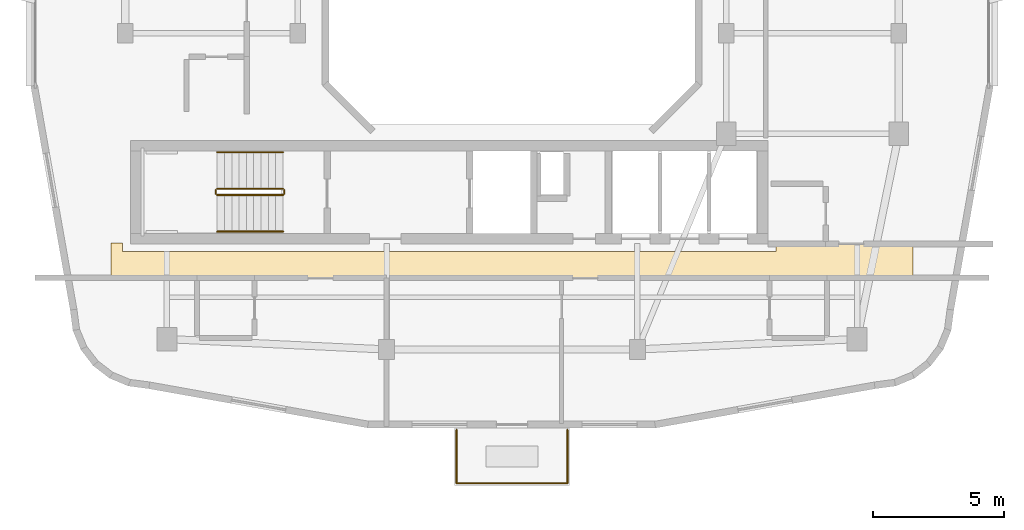
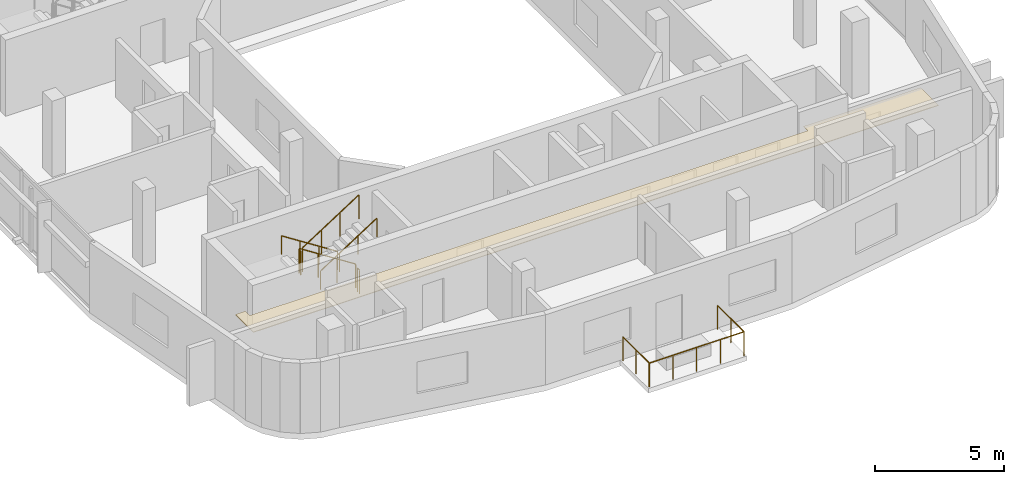
# One storey, part 8 of 10: 9 railings, 1 covering.
"""IFC4 building model written with IfcOpenShell, lengths in metres."""

from ifc_helpers import new_model, si_unit, derived_unit, direction, frame, origin, origin_2d, place, context, subcontext, project, spatial, polyline, circle, outline, extrude, material, layer, layer_set, type_object, element, save


model = new_model("IFC4")

# Units and contexts
model_context = context("Model", 3, precision=1e-05, world=origin(), true_north=direction((0.0, 1.0)))
body_context = subcontext(model_context, "Body", "Model", "MODEL_VIEW")
ifc_project = project(units=[si_unit("LENGTHUNIT", "METRE"), si_unit("AREAUNIT", "SQUARE_METRE"), si_unit("VOLUMEUNIT", "CUBIC_METRE"), si_unit("PLANEANGLEUNIT", "RADIAN"), si_unit("MASSUNIT", "GRAM", prefix="KILO"), derived_unit("THERMALTRANSMITTANCEUNIT", [(si_unit("POWERUNIT", "WATT"), 1), (si_unit("LENGTHUNIT", "METRE"), -2), (si_unit("THERMODYNAMICTEMPERATUREUNIT", "KELVIN"), -1)])], contexts=[model_context])

# Site, building, storey
site_placement = place(None, origin())
site = spatial("IfcSite", under=ifc_project, at=site_placement, CompositionType="ELEMENT")
building_placement = place(site_placement, origin())
building = spatial("IfcBuilding", under=site, at=building_placement, Name="Kivonza Crest Hotel", CompositionType="ELEMENT")
storey_placement = place(building_placement, frame((0.0, 0.0, 243.199951171875)))
storey = spatial("IfcBuildingStorey", under=building, at=storey_placement, Name="L66", CompositionType="ELEMENT", Elevation=243.199951171875)

# Covering
ifc_material_1 = material(Name="Moisture-resistant gypsum plasterboard ceiling", Category="gypsum")
ifc_layer = layer(ifc_material_1, 0.030029296875)
ifc_layer_set = layer_set([ifc_layer], Name="Moisture-resistant gypsum plasterboard ceiling")
covering_type = type_object("IfcCoveringType", Name="CV-CEIL-GYP", PredefinedType="CEILING", material=ifc_layer_set)
covering_placement = place(storey_placement, frame((0.0, 0.0, 2.449951171875)))
element("IfcCovering", 1, at=covering_placement, inside=storey, type_object=covering_type, Name="L66 Hotel South Guest Corridor suspended ceiling", PredefinedType="CEILING", context=body_context, shape_type="SweptSolid", body=[
    extrude(outline(polyline([(36.340087890625, 12.10009765625), (36.340087890625, 13.47998046875), (31.10009765625, 13.47998046875), (31.10009765625, 13.139892578125), (6.10009765625, 13.139892578125), (6.10009765625, 13.47998046875), (5.659912109375, 13.47998046875), (5.659912109375, 12.10009765625), (36.340087890625, 12.10009765625)])), origin(), (0.0, 0.0, 1.0), 0.030029296875),
])

# Railings
ifc_material_2 = material(Name="Brushed stainless steel handrail", Category="steel")
railing_type_1 = type_object("IfcRailingType", Name="RL-HAND-900", PredefinedType="HANDRAIL", material=ifc_material_2)
railing_1_placement = place(storey_placement, frame((12.239990234375, 16.949951171875, 0.179931640625)))
element("IfcRailing", 2, at=railing_1_placement, inside=storey, type_object=railing_type_1, Name="L66 ST-T1-S stair handrail 1", PredefinedType="HANDRAIL", context=body_context, shape_type="SweptSolid", body=[
    extrude(circle(Radius=0.02392578125, at=origin_2d()), frame((0.0, 0.0, 0.8759765625), z_axis=(-0.841162588446, 0.0, 0.540782303519), x_axis=(0.0, -1.0, 0.0)), (0.0, 0.0, 1.0), 2.995849609375),
    extrude(circle(Radius=0.02099609375, at=origin_2d()), origin(), (0.0, 0.0, 1.0), 0.851806640625),
    extrude(circle(Radius=0.02099609375, at=origin_2d()), frame((-0.840087890625, 0.0, 0.5400390625)), (0.0, 0.0, 1.0), 0.851806640625),
    extrude(circle(Radius=0.02099609375, at=origin_2d()), frame((-1.679931640625, 0.0, 1.080078125)), (0.0, 0.0, 1.0), 0.851806640625),
    extrude(circle(Radius=0.02099609375, at=origin_2d()), frame((-2.52001953125, 0.0, 1.6201171875)), (0.0, 0.0, 1.0), 0.851806640625),
])
railing_2_placement = place(storey_placement, frame((9.719970703125, 13.909912109375, 1.97998046875)))
element("IfcRailing", 3, at=railing_2_placement, inside=storey, type_object=railing_type_1, Name="L66 ST-T1-S stair handrail 2", PredefinedType="HANDRAIL", context=body_context, shape_type="SweptSolid", body=[
    extrude(circle(Radius=0.02392578125, at=origin_2d()), frame((0.0, 0.0, 0.8759765625), z_axis=(0.841162588446, 0.0, 0.540782303519), x_axis=(0.0, 1.0, 0.0)), (0.0, 0.0, 1.0), 2.995849609375),
    extrude(circle(Radius=0.02099609375, at=origin_2d()), origin(), (0.0, 0.0, 1.0), 0.851806640625),
    extrude(circle(Radius=0.02099609375, at=origin_2d()), frame((0.840087890625, 0.0, 0.5400390625)), (0.0, 0.0, 1.0), 0.851806640625),
    extrude(circle(Radius=0.02099609375, at=origin_2d()), frame((1.679931640625, 0.0, 1.080078125)), (0.0, 0.0, 1.0), 0.851806640625),
    extrude(circle(Radius=0.02099609375, at=origin_2d()), frame((2.52001953125, 0.0, 1.6201171875)), (0.0, 0.0, 1.0), 0.851806640625),
])
ifc_material_3 = material(Name="Painted steel balustrade", Category="steel")
railing_type_2 = type_object("IfcRailingType", Name="RL-STAIR-1150", PredefinedType="BALUSTRADE", material=ifc_material_3)
railing_3_placement = place(storey_placement, frame((12.239990234375, 15.550048828125, 0.179931640625)))
element("IfcRailing", 4, at=railing_3_placement, inside=storey, type_object=railing_type_2, Name="L66 ST-T1-S stair guard 1", PredefinedType="BALUSTRADE", context=body_context, shape_type="SweptSolid", body=[
    extrude(circle(Radius=0.02392578125, at=origin_2d()), frame((0.0, 0.0, 1.1259765625), z_axis=(-0.841162588446, 0.0, 0.540782303519), x_axis=(0.0, -1.0, 0.0)), (0.0, 0.0, 1.0), 2.995849609375),
    extrude(circle(Radius=0.02099609375, at=origin_2d()), origin(), (0.0, 0.0, 1.0), 1.101806640625),
    extrude(circle(Radius=0.02099609375, at=origin_2d()), frame((-0.840087890625, 0.0, 0.5400390625)), (0.0, 0.0, 1.0), 1.101806640625),
    extrude(circle(Radius=0.02099609375, at=origin_2d()), frame((-1.679931640625, 0.0, 1.080078125)), (0.0, 0.0, 1.0), 1.101806640625),
    extrude(circle(Radius=0.02099609375, at=origin_2d()), frame((-2.52001953125, 0.0, 1.6201171875)), (0.0, 0.0, 1.0), 1.101806640625),
])
railing_4_placement = place(storey_placement, frame((9.669921875, 15.5, 1.800048828125)))
element("IfcRailing", 5, at=railing_4_placement, inside=storey, type_object=railing_type_2, Name="L66 ST-T1-S stair guard 2", PredefinedType="BALUSTRADE", context=body_context, shape_type="SweptSolid", body=[
    extrude(circle(Radius=0.02392578125, at=origin_2d()), frame((0.0, 0.0, 1.1259765625), z_axis=(0.0, -1.0, 0.0), x_axis=(1.0, 0.0, 0.0)), (0.0, 0.0, 1.0), 0.139892578125),
    extrude(circle(Radius=0.02099609375, at=origin_2d()), origin(), (0.0, 0.0, 1.0), 1.101806640625),
    extrude(circle(Radius=0.02099609375, at=origin_2d()), frame((0.0, -0.139892578125, 0.0)), (0.0, 0.0, 1.0), 1.101806640625),
])
railing_5_placement = place(storey_placement, frame((9.719970703125, 15.31005859375, 1.97998046875)))
element("IfcRailing", 6, at=railing_5_placement, inside=storey, type_object=railing_type_2, Name="L66 ST-T1-S stair guard 3", PredefinedType="BALUSTRADE", context=body_context, shape_type="SweptSolid", body=[
    extrude(circle(Radius=0.02392578125, at=origin_2d()), frame((0.0, 0.0, 1.1259765625), z_axis=(0.841162588446, 0.0, 0.540782303519), x_axis=(0.0, 1.0, 0.0)), (0.0, 0.0, 1.0), 2.995849609375),
    extrude(circle(Radius=0.02099609375, at=origin_2d()), origin(), (0.0, 0.0, 1.0), 1.101806640625),
    extrude(circle(Radius=0.02099609375, at=origin_2d()), frame((0.840087890625, 0.0, 0.5400390625)), (0.0, 0.0, 1.0), 1.101806640625),
    extrude(circle(Radius=0.02099609375, at=origin_2d()), frame((1.679931640625, 0.0, 1.080078125)), (0.0, 0.0, 1.0), 1.101806640625),
    extrude(circle(Radius=0.02099609375, at=origin_2d()), frame((2.52001953125, 0.0, 1.6201171875)), (0.0, 0.0, 1.0), 1.101806640625),
])
railing_6_placement = place(storey_placement, frame((12.2900390625, 15.5, 0.0)))
element("IfcRailing", 7, at=railing_6_placement, inside=storey, type_object=railing_type_2, Name="L66 ST-T1-S stair guard 4", PredefinedType="BALUSTRADE", context=body_context, shape_type="SweptSolid", body=[
    extrude(circle(Radius=0.02392578125, at=origin_2d()), frame((0.0, 0.0, 1.1259765625), z_axis=(0.0, -1.0, 0.0), x_axis=(1.0, 0.0, 0.0)), (0.0, 0.0, 1.0), 0.139892578125),
    extrude(circle(Radius=0.02099609375, at=origin_2d()), origin(), (0.0, 0.0, 1.0), 1.101806640625),
    extrude(circle(Radius=0.02099609375, at=origin_2d()), frame((0.0, -0.139892578125, 0.0)), (0.0, 0.0, 1.0), 1.101806640625),
])
ifc_material_4 = material(Name="Laminated glass and stainless steel balustrade", Category="steel")
railing_type_3 = type_object("IfcRailingType", Name="RL-TERR-1150", PredefinedType="BALUSTRADE", material=ifc_material_4)
railing_7_placement = place(storey_placement, frame((18.8798828125, 4.280029296875, 0.0)))
element("IfcRailing", 8, at=railing_7_placement, inside=storey, type_object=railing_type_3, Name="L66 T1-L66-SG-SW perimeter safety balustrade 1", PredefinedType="BALUSTRADE", context=body_context, shape_type="SweptSolid", body=[
    extrude(circle(Radius=0.02392578125, at=origin_2d()), frame((0.0, 0.0, 1.1259765625), z_axis=(0.0, 1.0, 0.0), x_axis=(-1.0, 0.0, 0.0)), (0.0, 0.0, 1.0), 2.0400390625),
    extrude(circle(Radius=0.02099609375, at=origin_2d()), origin(), (0.0, 0.0, 1.0), 1.101806640625),
    extrude(circle(Radius=0.02099609375, at=origin_2d()), frame((0.0, 1.02001953125, 0.0)), (0.0, 0.0, 1.0), 1.101806640625),
    extrude(circle(Radius=0.02099609375, at=origin_2d()), frame((0.0, 2.0400390625, 0.0)), (0.0, 0.0, 1.0), 1.101806640625),
])
railing_8_placement = place(storey_placement, frame((23.1201171875, 6.320068359375, 0.0)))
element("IfcRailing", 9, at=railing_8_placement, inside=storey, type_object=railing_type_3, Name="L66 T1-L66-SG-SW perimeter safety balustrade 2", PredefinedType="BALUSTRADE", context=body_context, shape_type="SweptSolid", body=[
    extrude(circle(Radius=0.02392578125, at=origin_2d()), frame((0.0, 0.0, 1.1259765625), z_axis=(0.0, -1.0, 0.0), x_axis=(1.0, 0.0, 0.0)), (0.0, 0.0, 1.0), 2.0400390625),
    extrude(circle(Radius=0.02099609375, at=origin_2d()), origin(), (0.0, 0.0, 1.0), 1.101806640625),
    extrude(circle(Radius=0.02099609375, at=origin_2d()), frame((0.0, -1.02001953125, 0.0)), (0.0, 0.0, 1.0), 1.101806640625),
    extrude(circle(Radius=0.02099609375, at=origin_2d()), frame((0.0, -2.0400390625, 0.0)), (0.0, 0.0, 1.0), 1.101806640625),
])
railing_9_placement = place(storey_placement, frame((23.1201171875, 4.280029296875, 0.0)))
element("IfcRailing", 10, at=railing_9_placement, inside=storey, type_object=railing_type_3, Name="L66 T1-L66-SG-SW perimeter safety balustrade 3", PredefinedType="BALUSTRADE", context=body_context, shape_type="SweptSolid", body=[
    extrude(circle(Radius=0.02392578125, at=origin_2d()), frame((0.0, 0.0, 1.1259765625), z_axis=(-1.0, 0.0, 0.0), x_axis=(0.0, -1.0, 0.0)), (0.0, 0.0, 1.0), 4.240234375),
    extrude(circle(Radius=0.02099609375, at=origin_2d()), origin(), (0.0, 0.0, 1.0), 1.101806640625),
    extrude(circle(Radius=0.02099609375, at=origin_2d()), frame((-1.06005859375, 0.0, 0.0)), (0.0, 0.0, 1.0), 1.101806640625),
    extrude(circle(Radius=0.02099609375, at=origin_2d()), frame((-2.1201171875, 0.0, 0.0)), (0.0, 0.0, 1.0), 1.101806640625),
    extrude(circle(Radius=0.02099609375, at=origin_2d()), frame((-3.18017578125, 0.0, 0.0)), (0.0, 0.0, 1.0), 1.101806640625),
    extrude(circle(Radius=0.02099609375, at=origin_2d()), frame((-4.240234375, 0.0, 0.0)), (0.0, 0.0, 1.0), 1.101806640625),
])

save(model, "model.ifc")
